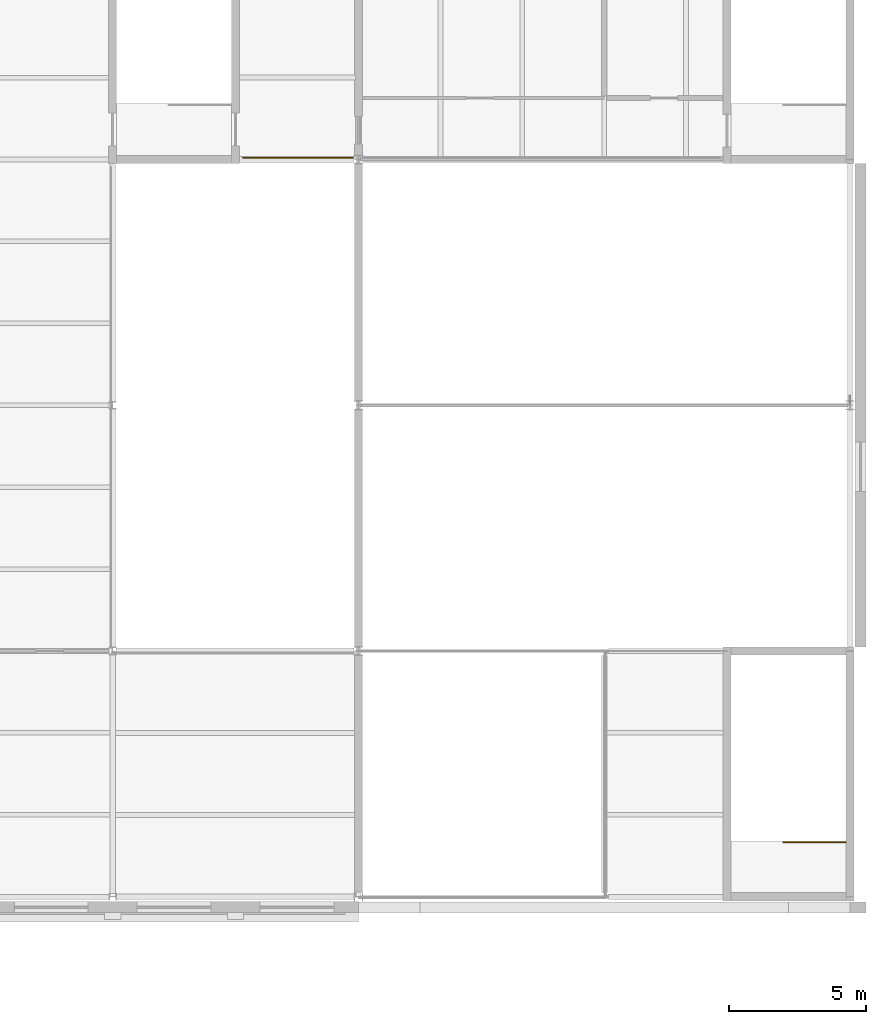
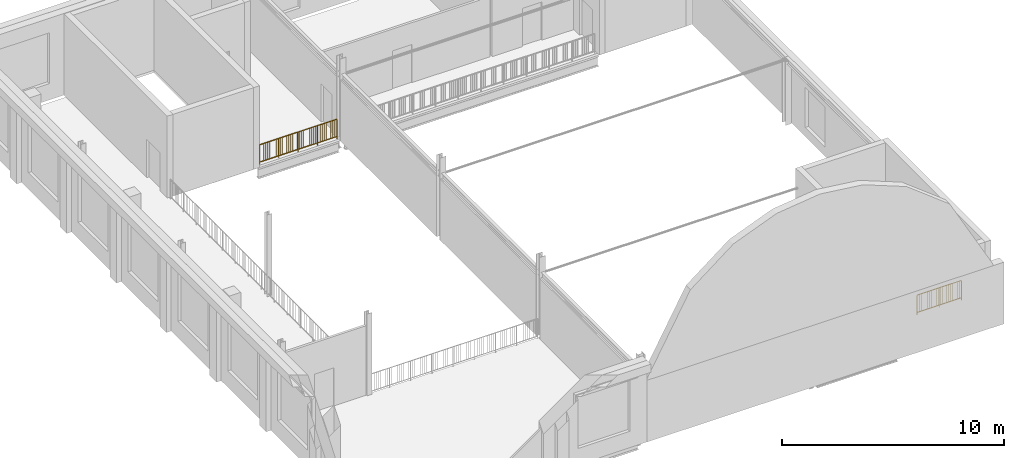
# One storey, part 54 of 59: 2 railings.
"""IFC4 building model written with IfcOpenShell, lengths in metres."""

import ifcopenshell
import ifcopenshell.guid

model = None  # the IFC model being written
_history = None  # IfcOwnerHistory: only IFC2X3 demands one
_inside = {}  # id of a spatial element -> (the spatial element, [elements in it])
_under = {}  # id of a project, library or spatial element -> (it, [spatial elements below it])
_declared = {}  # id of a project -> (the project, [libraries it declares])
_typed = {}  # id of a type object -> (the type object, [elements of that type])
_made_of = {}  # id of a material, layer set ... -> (it, [elements and type objects made of it])


def new_model(schema):
    """Start an empty IFC model of exactly this schema.

    Asked for "IFC4X3", IfcOpenShell would pick the latest addendum, in which some entities
    have other attributes; the version numbers below select the first issue.
    IFC2X3 requires an IfcOwnerHistory on every rooted entity: one is made here for all.
    """
    global model, _history
    if schema == "IFC4X3":
        model = ifcopenshell.file(schema_version=(4, 3, 0, 0))
    else:
        model = ifcopenshell.file(schema=schema)
    _inside.clear()
    _under.clear()
    _declared.clear()
    _typed.clear()
    _made_of.clear()
    _history = None
    if model.schema == "IFC2X3":
        org = make("IfcOrganization", Name="unknown")
        user = make(
            "IfcPersonAndOrganization",
            ThePerson=make("IfcPerson", FamilyName="unknown"),
            TheOrganization=org,
        )
        app = make(
            "IfcApplication",
            ApplicationDeveloper=org,
            Version="unknown",
            ApplicationFullName="unknown",
            ApplicationIdentifier="unknown",
        )
        _history = make(
            "IfcOwnerHistory",
            OwningUser=user,
            OwningApplication=app,
            ChangeAction="ADDED",
            CreationDate=0,
        )
    return model


def make(cls, **values):
    """One entity of the class cls with the attributes given. An attribute that is None is left unset."""
    return model.create_entity(
        cls, **{name: value for name, value in values.items() if value is not None}
    )


def rooted(cls, **values):
    """An entity with a GlobalId (a new one), such as an element, a storey or a relation."""
    return make(cls, GlobalId=ifcopenshell.guid.new(), OwnerHistory=_history, **values)


def si_unit(unit_type, name, prefix=None):
    """IfcSIUnit, for example si_unit("LENGTHUNIT", "METRE", prefix="MILLI")."""
    return make("IfcSIUnit", UnitType=unit_type, Prefix=prefix, Name=name)


def assignment(units):
    """IfcUnitAssignment: the units of a project."""
    return None if units is None else make("IfcUnitAssignment", Units=units)


def point(xyz):
    """IfcCartesianPoint."""
    return None if xyz is None else make("IfcCartesianPoint", Coordinates=xyz)


def direction(xyz):
    """IfcDirection."""
    return None if xyz is None else make("IfcDirection", DirectionRatios=xyz)


def frame(location, z_axis=None, x_axis=None):
    """IfcAxis2Placement3D, a coordinate frame: its origin and axes. An axis left out is left unset."""
    return make(
        "IfcAxis2Placement3D",
        Location=point(location),
        Axis=direction(z_axis),
        RefDirection=direction(x_axis),
    )


def frame_2d(location, x_axis=None):
    """IfcAxis2Placement2D, a coordinate frame in the plane: its origin and x axis."""
    return make(
        "IfcAxis2Placement2D", Location=point(location), RefDirection=direction(x_axis)
    )


def origin():
    """The frame at (0, 0, 0) with its axes left unset."""
    return frame((0.0, 0.0, 0.0))


def origin_2d():
    """The frame at (0, 0) in the plane with its x axis left unset."""
    return frame_2d((0.0, 0.0))


def place(relative_to, where):
    """IfcLocalPlacement: puts the frame where relative to a parent placement (None: the world)."""
    return make(
        "IfcLocalPlacement", PlacementRelTo=relative_to, RelativePlacement=where
    )


def context(
    kind, dimensions, precision=None, world=None, true_north=None, identifier=None
):
    """IfcGeometricRepresentationContext, for example the 3D "Model" context."""
    return make(
        "IfcGeometricRepresentationContext",
        ContextIdentifier=identifier,
        ContextType=kind,
        CoordinateSpaceDimension=dimensions,
        Precision=precision,
        WorldCoordinateSystem=world,
        TrueNorth=true_north,
    )


def subcontext(parent, identifier, kind, view, scale=None):
    """IfcGeometricRepresentationSubContext, for example "Body" below "Model"."""
    return make(
        "IfcGeometricRepresentationSubContext",
        ContextIdentifier=identifier,
        ContextType=kind,
        ParentContext=parent,
        TargetScale=scale,
        TargetView=view,
    )


def project(units=None, contexts=None):
    """IfcProject with its units and contexts."""
    return rooted(
        "IfcProject",
        Name="project",
        RepresentationContexts=contexts,
        UnitsInContext=assignment(units),
    )


def spatial(cls, under=None, at=None, **own):
    """A site, building, storey or space (cls), placed at a placement, below another one or the project."""
    s = rooted(cls, ObjectPlacement=at, **own)
    if under is not None:
        _under.setdefault(under.id(), (under, []))[1].append(s)
    return s


def profile(cls, at=None, kind="AREA", **sizes):
    """A parametric profile (cls). Its sizes go by their IFC names, for example OverallWidth=200.0."""
    return make(cls, ProfileType=kind, Position=at, **sizes)


def circle(**sizes):
    """IfcCircleProfileDef."""
    return profile("IfcCircleProfileDef", **sizes)


def extrude(swept, where, along, depth):
    """IfcExtrudedAreaSolid: the profile swept, set in the frame where, extruded along a direction by depth."""
    return make(
        "IfcExtrudedAreaSolid",
        SweptArea=swept,
        Position=where,
        ExtrudedDirection=direction(along),
        Depth=depth,
    )


def shape(context_of_items, identifier, shape_type, items):
    """IfcShapeRepresentation: the items that make up one representation, for example the "Body"."""
    return make(
        "IfcShapeRepresentation",
        ContextOfItems=context_of_items,
        RepresentationIdentifier=identifier,
        RepresentationType=shape_type,
        Items=items,
    )


def material(Name=None, Category=None):
    """IfcMaterial."""
    return make("IfcMaterial", Name=Name, Category=Category)


def made_of(thing, what):
    """Note that an element or type object is made of a material, layer set ...; save() writes the relation."""
    if what is not None:
        _made_of.setdefault(what.id(), (what, []))[1].append(thing)
    return thing


def type_object(cls, material=None, **own):
    """A type object (cls), such as IfcWallType, which elements share."""
    return made_of(rooted(cls, **own), material)


def element(
    cls,
    number,
    at=None,
    inside=None,
    cuts=None,
    type_object=None,
    material=None,
    context=None,
    identifier="Body",
    shape_type=None,
    held_by="IfcProductDefinitionShape",
    body=None,
    shapes=None,
    **own,
):
    """One element of the class cls, such as IfcWall. Its Tag is "e" and its number.

    at: its placement. inside: the storey or other place that contains it. cuts: it is an
    opening in that element (IfcRelVoidsElement). A single representation is given by context,
    identifier, shape_type and body (its items); several are given by shapes. held_by: the class
    of the entity that holds the representations. save() writes the other relations.
    """
    e = rooted(cls, Tag="e%d" % number, ObjectPlacement=at, **own)
    if body is not None:
        shapes = [shape(context, identifier, shape_type, body)]
    if shapes is not None:
        e.Representation = make(held_by, Representations=shapes)
    if inside is not None:
        _inside.setdefault(inside.id(), (inside, []))[1].append(e)
    if cuts is not None:
        rooted(
            "IfcRelVoidsElement", RelatingBuildingElement=cuts, RelatedOpeningElement=e
        )
    if type_object is not None:
        _typed.setdefault(type_object.id(), (type_object, []))[1].append(e)
    return made_of(e, material)


def aggregate(whole, parts):
    """IfcRelAggregates: a whole, such as a stair, and the parts it consists of."""
    return rooted("IfcRelAggregates", RelatingObject=whole, RelatedObjects=parts)


def save(model, path):
    """Write the relations noted so far, then the file.

    IfcRelAggregates (storeys below a building ...), IfcRelContainedInSpatialStructure (elements
    in a storey), IfcRelDefinesByType, IfcRelAssociatesMaterial and IfcRelDeclares: one each for
    every whole, place, type object, material and project.
    """
    for whole, parts in _under.values():
        aggregate(whole, parts)
    for where, things in _inside.values():
        rooted(
            "IfcRelContainedInSpatialStructure",
            RelatedElements=things,
            RelatingStructure=where,
        )
    for kind, things in _typed.values():
        rooted("IfcRelDefinesByType", RelatedObjects=things, RelatingType=kind)
    for what, things in _made_of.values():
        rooted("IfcRelAssociatesMaterial", RelatedObjects=things, RelatingMaterial=what)
    for by, libraries in _declared.values():
        rooted("IfcRelDeclares", RelatingContext=by, RelatedDefinitions=libraries)
    model.write(path)


model = new_model("IFC4")

# Units and contexts
model_context = context("Model", 3, precision=1e-05, world=origin(), true_north=direction((0.0, 1.0)))
body_context = subcontext(model_context, "Body", "Model", "MODEL_VIEW")
ifc_project = project(units=[si_unit("LENGTHUNIT", "METRE"), si_unit("AREAUNIT", "SQUARE_METRE"), si_unit("VOLUMEUNIT", "CUBIC_METRE"), si_unit("PLANEANGLEUNIT", "RADIAN"), si_unit("MASSUNIT", "GRAM", prefix="KILO")], contexts=[model_context])

# Site, building, storey
site_placement = place(None, origin())
site = spatial("IfcSite", under=ifc_project, at=site_placement, CompositionType="ELEMENT")
building_placement = place(site_placement, origin())
building = spatial("IfcBuilding", under=site, at=building_placement, Name="Hortulan Conservatory and Botanical Research Centre", CompositionType="ELEMENT")
storey_placement = place(building_placement, frame((0.0, 0.0, 10.5)))
storey = spatial("IfcBuildingStorey", under=building, at=storey_placement, Name="L02", CompositionType="ELEMENT", Elevation=10.5)

# Railings
ifc_material_1 = material(Name="Wrought iron guard, bronze-charcoal paint", Category="metal")
railing_type_1 = type_object("IfcRailingType", Name="Ironwork Void Guard 1100", PredefinedType="GUARDRAIL", material=ifc_material_1)
railing_1_placement = place(storey_placement, frame((85.77001953125, 63.06005859375, 0.0)))
element("IfcRailing", 1, at=railing_1_placement, inside=storey, type_object=railing_type_1, Name="Guard L02 Aud Foyer L02 14", PredefinedType="GUARDRAIL", context=body_context, shape_type="SweptSolid", body=[
    extrude(circle(Radius=0.02392578125, at=origin_2d()), frame((0.0, 0.0, 1.076171875), z_axis=(1.0, 0.0, 0.0), x_axis=(0.0, 1.0, 0.0)), (0.0, 0.0, 1.0), 4.033203125),
    extrude(circle(Radius=0.02392578125, at=origin_2d()), frame((0.0, 0.0, 0.1240234375), z_axis=(1.0, 0.0, 0.0), x_axis=(0.0, 1.0, 0.0)), (0.0, 0.0, 1.0), 4.033203125),
    extrude(circle(Radius=0.008056640625, at=origin_2d()), frame((0.10888671875, 0.0, 0.148193359375)), (0.0, 0.0, 1.0), 0.90380859375),
    extrude(circle(Radius=0.008056640625, at=origin_2d()), frame((0.218017578125, 0.0, 0.148193359375)), (0.0, 0.0, 1.0), 0.90380859375),
    extrude(circle(Radius=0.008056640625, at=origin_2d()), frame((0.326904296875, 0.0, 0.148193359375)), (0.0, 0.0, 1.0), 0.90380859375),
    extrude(circle(Radius=0.008056640625, at=origin_2d()), frame((0.43603515625, 0.0, 0.148193359375)), (0.0, 0.0, 1.0), 0.90380859375),
    extrude(circle(Radius=0.008056640625, at=origin_2d()), frame((0.544921875, 0.0, 0.148193359375)), (0.0, 0.0, 1.0), 0.90380859375),
    extrude(circle(Radius=0.008056640625, at=origin_2d()), frame((0.654052734375, 0.0, 0.148193359375)), (0.0, 0.0, 1.0), 0.90380859375),
    extrude(circle(Radius=0.008056640625, at=origin_2d()), frame((0.762939453125, 0.0, 0.148193359375)), (0.0, 0.0, 1.0), 0.90380859375),
    extrude(circle(Radius=0.008056640625, at=origin_2d()), frame((0.8720703125, 0.0, 0.148193359375)), (0.0, 0.0, 1.0), 0.90380859375),
    extrude(circle(Radius=0.008056640625, at=origin_2d()), frame((0.98095703125, 0.0, 0.148193359375)), (0.0, 0.0, 1.0), 0.90380859375),
    extrude(circle(Radius=0.008056640625, at=origin_2d()), frame((1.090087890625, 0.0, 0.148193359375)), (0.0, 0.0, 1.0), 0.90380859375),
    extrude(circle(Radius=0.008056640625, at=origin_2d()), frame((1.198974609375, 0.0, 0.148193359375)), (0.0, 0.0, 1.0), 0.90380859375),
    extrude(circle(Radius=0.008056640625, at=origin_2d()), frame((1.30810546875, 0.0, 0.148193359375)), (0.0, 0.0, 1.0), 0.90380859375),
    extrude(circle(Radius=0.008056640625, at=origin_2d()), frame((1.4169921875, 0.0, 0.148193359375)), (0.0, 0.0, 1.0), 0.90380859375),
    extrude(circle(Radius=0.008056640625, at=origin_2d()), frame((1.526123046875, 0.0, 0.148193359375)), (0.0, 0.0, 1.0), 0.90380859375),
    extrude(circle(Radius=0.008056640625, at=origin_2d()), frame((1.635009765625, 0.0, 0.148193359375)), (0.0, 0.0, 1.0), 0.90380859375),
    extrude(circle(Radius=0.008056640625, at=origin_2d()), frame((1.744140625, 0.0, 0.148193359375)), (0.0, 0.0, 1.0), 0.90380859375),
    extrude(circle(Radius=0.008056640625, at=origin_2d()), frame((1.85302734375, 0.0, 0.148193359375)), (0.0, 0.0, 1.0), 0.90380859375),
    extrude(circle(Radius=0.008056640625, at=origin_2d()), frame((1.962158203125, 0.0, 0.148193359375)), (0.0, 0.0, 1.0), 0.90380859375),
    extrude(circle(Radius=0.008056640625, at=origin_2d()), frame((2.071044921875, 0.0, 0.148193359375)), (0.0, 0.0, 1.0), 0.90380859375),
    extrude(circle(Radius=0.008056640625, at=origin_2d()), frame((2.18017578125, 0.0, 0.148193359375)), (0.0, 0.0, 1.0), 0.90380859375),
    extrude(circle(Radius=0.008056640625, at=origin_2d()), frame((2.2890625, 0.0, 0.148193359375)), (0.0, 0.0, 1.0), 0.90380859375),
    extrude(circle(Radius=0.008056640625, at=origin_2d()), frame((2.398193359375, 0.0, 0.148193359375)), (0.0, 0.0, 1.0), 0.90380859375),
    extrude(circle(Radius=0.008056640625, at=origin_2d()), frame((2.507080078125, 0.0, 0.148193359375)), (0.0, 0.0, 1.0), 0.90380859375),
    extrude(circle(Radius=0.008056640625, at=origin_2d()), frame((2.6162109375, 0.0, 0.148193359375)), (0.0, 0.0, 1.0), 0.90380859375),
    extrude(circle(Radius=0.008056640625, at=origin_2d()), frame((2.72509765625, 0.0, 0.148193359375)), (0.0, 0.0, 1.0), 0.90380859375),
    extrude(circle(Radius=0.008056640625, at=origin_2d()), frame((2.834228515625, 0.0, 0.148193359375)), (0.0, 0.0, 1.0), 0.90380859375),
    extrude(circle(Radius=0.008056640625, at=origin_2d()), frame((2.943115234375, 0.0, 0.148193359375)), (0.0, 0.0, 1.0), 0.90380859375),
    extrude(circle(Radius=0.008056640625, at=origin_2d()), frame((3.05224609375, 0.0, 0.148193359375)), (0.0, 0.0, 1.0), 0.90380859375),
    extrude(circle(Radius=0.008056640625, at=origin_2d()), frame((3.1611328125, 0.0, 0.148193359375)), (0.0, 0.0, 1.0), 0.90380859375),
    extrude(circle(Radius=0.008056640625, at=origin_2d()), frame((3.270263671875, 0.0, 0.148193359375)), (0.0, 0.0, 1.0), 0.90380859375),
    extrude(circle(Radius=0.008056640625, at=origin_2d()), frame((3.379150390625, 0.0, 0.148193359375)), (0.0, 0.0, 1.0), 0.90380859375),
    extrude(circle(Radius=0.008056640625, at=origin_2d()), frame((3.48828125, 0.0, 0.148193359375)), (0.0, 0.0, 1.0), 0.90380859375),
    extrude(circle(Radius=0.008056640625, at=origin_2d()), frame((3.59716796875, 0.0, 0.148193359375)), (0.0, 0.0, 1.0), 0.90380859375),
    extrude(circle(Radius=0.008056640625, at=origin_2d()), frame((3.706298828125, 0.0, 0.148193359375)), (0.0, 0.0, 1.0), 0.90380859375),
    extrude(circle(Radius=0.008056640625, at=origin_2d()), frame((3.815185546875, 0.0, 0.148193359375)), (0.0, 0.0, 1.0), 0.90380859375),
    extrude(circle(Radius=0.008056640625, at=origin_2d()), frame((3.92431640625, 0.0, 0.148193359375)), (0.0, 0.0, 1.0), 0.90380859375),
    extrude(circle(Radius=0.02099609375, at=origin_2d()), origin(), (0.0, 0.0, 1.0), 1.052001953125),
    extrude(circle(Radius=0.02099609375, at=origin_2d()), frame((1.00830078125, 0.0, 0.0)), (0.0, 0.0, 1.0), 1.052001953125),
    extrude(circle(Radius=0.02099609375, at=origin_2d()), frame((2.0166015625, 0.0, 0.0)), (0.0, 0.0, 1.0), 1.052001953125),
    extrude(circle(Radius=0.02099609375, at=origin_2d()), frame((3.02490234375, 0.0, 0.0)), (0.0, 0.0, 1.0), 1.052001953125),
    extrude(circle(Radius=0.02099609375, at=origin_2d()), frame((4.033203125, 0.0, 0.0)), (0.0, 0.0, 1.0), 1.052001953125),
])
ifc_material_2 = material(Name="Steel balustrade, bronze-charcoal paint", Category="steel")
railing_type_2 = type_object("IfcRailingType", Name="Stair Guard 1100", PredefinedType="GUARDRAIL", material=ifc_material_2)
railing_2_placement = place(storey_placement, frame((107.85009765625, 38.0, 0.0)))
element("IfcRailing", 2, at=railing_2_placement, inside=storey, type_object=railing_type_2, Name="Guard A2 L02 stair well 1", PredefinedType="GUARDRAIL", context=body_context, shape_type="SweptSolid", body=[
    extrude(circle(Radius=0.02392578125, at=origin_2d()), frame((0.0, 0.0, 1.076171875), z_axis=(-1.0, 0.0, 0.0), x_axis=(0.0, -1.0, 0.0)), (0.0, 0.0, 1.0), 2.300048828125),
    extrude(circle(Radius=0.02392578125, at=origin_2d()), frame((0.0, 0.0, 0.1240234375), z_axis=(-1.0, 0.0, 0.0), x_axis=(0.0, -1.0, 0.0)), (0.0, 0.0, 1.0), 2.300048828125),
    extrude(circle(Radius=0.008056640625, at=origin_2d()), frame((-0.109619140625, 0.0, 0.148193359375)), (0.0, 0.0, 1.0), 0.90380859375),
    extrude(circle(Radius=0.008056640625, at=origin_2d()), frame((-0.218994140625, 0.0, 0.148193359375)), (0.0, 0.0, 1.0), 0.90380859375),
    extrude(circle(Radius=0.008056640625, at=origin_2d()), frame((-0.32861328125, 0.0, 0.148193359375)), (0.0, 0.0, 1.0), 0.90380859375),
    extrude(circle(Radius=0.008056640625, at=origin_2d()), frame((-0.43798828125, 0.0, 0.148193359375)), (0.0, 0.0, 1.0), 0.90380859375),
    extrude(circle(Radius=0.008056640625, at=origin_2d()), frame((-0.547607421875, 0.0, 0.148193359375)), (0.0, 0.0, 1.0), 0.90380859375),
    extrude(circle(Radius=0.008056640625, at=origin_2d()), frame((-0.6572265625, 0.0, 0.148193359375)), (0.0, 0.0, 1.0), 0.90380859375),
    extrude(circle(Radius=0.008056640625, at=origin_2d()), frame((-0.7666015625, 0.0, 0.148193359375)), (0.0, 0.0, 1.0), 0.90380859375),
    extrude(circle(Radius=0.008056640625, at=origin_2d()), frame((-0.876220703125, 0.0, 0.148193359375)), (0.0, 0.0, 1.0), 0.90380859375),
    extrude(circle(Radius=0.008056640625, at=origin_2d()), frame((-0.98583984375, 0.0, 0.148193359375)), (0.0, 0.0, 1.0), 0.90380859375),
    extrude(circle(Radius=0.008056640625, at=origin_2d()), frame((-1.09521484375, 0.0, 0.148193359375)), (0.0, 0.0, 1.0), 0.90380859375),
    extrude(circle(Radius=0.008056640625, at=origin_2d()), frame((-1.204833984375, 0.0, 0.148193359375)), (0.0, 0.0, 1.0), 0.90380859375),
    extrude(circle(Radius=0.008056640625, at=origin_2d()), frame((-1.314208984375, 0.0, 0.148193359375)), (0.0, 0.0, 1.0), 0.90380859375),
    extrude(circle(Radius=0.008056640625, at=origin_2d()), frame((-1.423828125, 0.0, 0.148193359375)), (0.0, 0.0, 1.0), 0.90380859375),
    extrude(circle(Radius=0.008056640625, at=origin_2d()), frame((-1.533447265625, 0.0, 0.148193359375)), (0.0, 0.0, 1.0), 0.90380859375),
    extrude(circle(Radius=0.008056640625, at=origin_2d()), frame((-1.642822265625, 0.0, 0.148193359375)), (0.0, 0.0, 1.0), 0.90380859375),
    extrude(circle(Radius=0.008056640625, at=origin_2d()), frame((-1.75244140625, 0.0, 0.148193359375)), (0.0, 0.0, 1.0), 0.90380859375),
    extrude(circle(Radius=0.008056640625, at=origin_2d()), frame((-1.862060546875, 0.0, 0.148193359375)), (0.0, 0.0, 1.0), 0.90380859375),
    extrude(circle(Radius=0.008056640625, at=origin_2d()), frame((-1.971435546875, 0.0, 0.148193359375)), (0.0, 0.0, 1.0), 0.90380859375),
    extrude(circle(Radius=0.008056640625, at=origin_2d()), frame((-2.0810546875, 0.0, 0.148193359375)), (0.0, 0.0, 1.0), 0.90380859375),
    extrude(circle(Radius=0.008056640625, at=origin_2d()), frame((-2.1904296875, 0.0, 0.148193359375)), (0.0, 0.0, 1.0), 0.90380859375),
    extrude(circle(Radius=0.02099609375, at=origin_2d()), origin(), (0.0, 0.0, 1.0), 1.052001953125),
    extrude(circle(Radius=0.02099609375, at=origin_2d()), frame((-1.14990234375, 0.0, 0.0)), (0.0, 0.0, 1.0), 1.052001953125),
    extrude(circle(Radius=0.02099609375, at=origin_2d()), frame((-2.300048828125, 0.0, 0.0)), (0.0, 0.0, 1.0), 1.052001953125),
])

save(model, "model.ifc")
